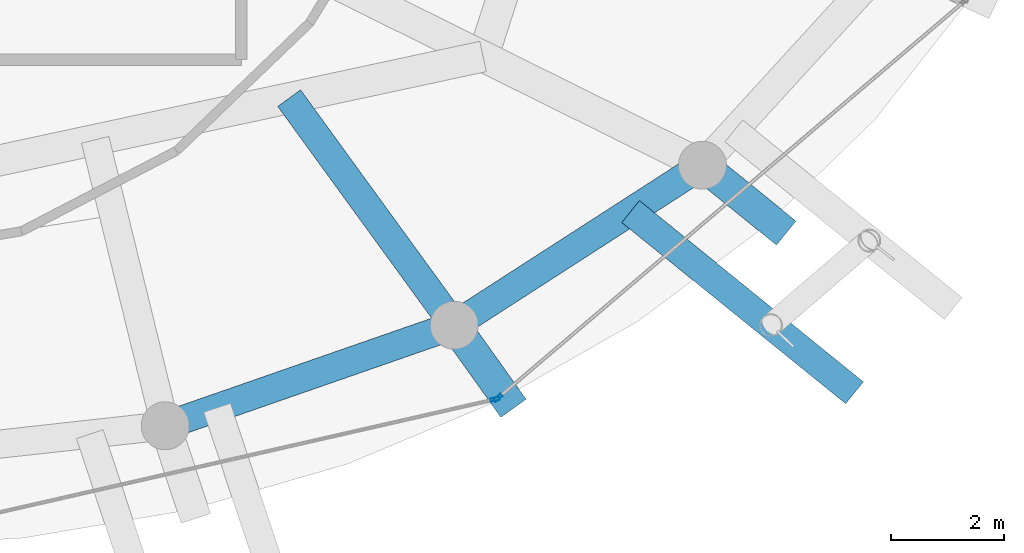
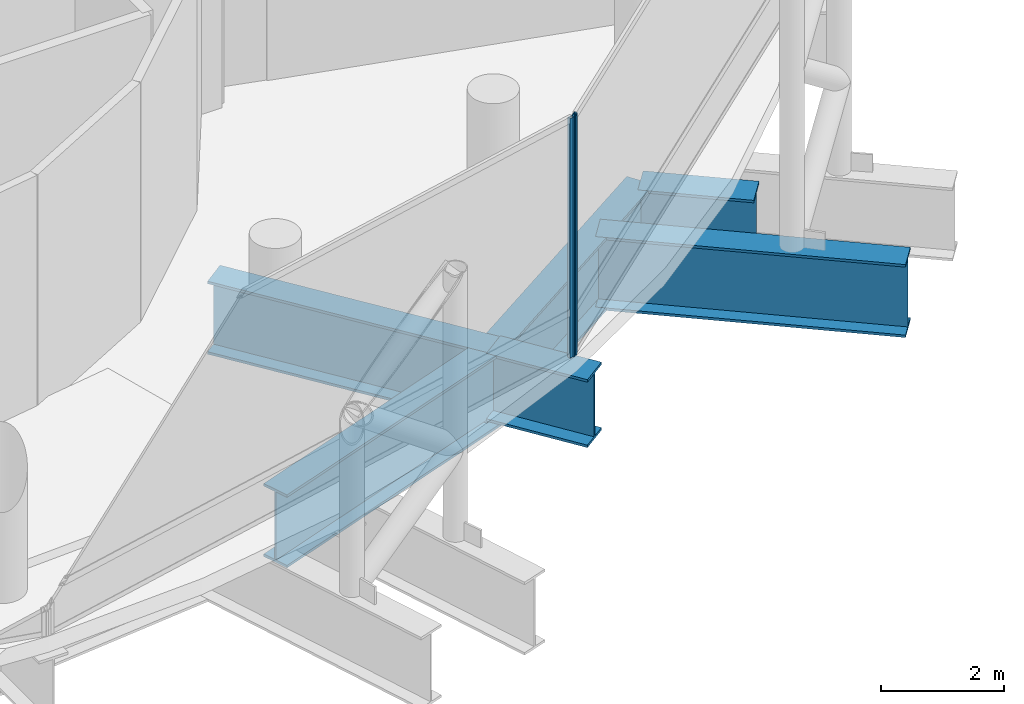
# One storey, part 10 of 31: 6 beams, 2 members, 2 elements without a shape of their own.
"""IFC4 building model written with IfcOpenShell, lengths in metres."""

from ifc_helpers import new_model, si_unit, direction, frame, origin, origin_2d, place, context, subcontext, project, spatial, hollow_rectangle, i_section, extrude, material, layer, layer_set, material_profile, profile_set, type_object, element, aggregate, save


model = new_model("IFC4")

# Units and contexts
model_context = context("Model", 3, precision=1e-05, world=origin(), true_north=direction((0.0, 1.0)))
body_context = subcontext(model_context, "Body", "Model", "MODEL_VIEW")
ifc_project = project(units=[si_unit("LENGTHUNIT", "METRE"), si_unit("AREAUNIT", "SQUARE_METRE"), si_unit("VOLUMEUNIT", "CUBIC_METRE"), si_unit("PLANEANGLEUNIT", "RADIAN"), si_unit("MASSUNIT", "GRAM", prefix="KILO")], contexts=[model_context])

# Site, building, storey
site_placement = place(None, origin())
site = spatial("IfcSite", under=ifc_project, at=site_placement, CompositionType="ELEMENT")
building_placement = place(site_placement, origin())
building = spatial("IfcBuilding", under=site, at=building_placement, Name="Nuhasar Tower", CompositionType="ELEMENT")
storey_placement = place(building_placement, frame((0.0, 0.0, 203.14990234375)))
storey = spatial("IfcBuildingStorey", under=building, at=storey_placement, Name="L49", CompositionType="ELEMENT", Elevation=203.14990234375)

# Beams
ifc_material_1 = material(Name="Steel S460", Category="steel")
ifc_material_profile_1 = material_profile(ifc_material_1, i_section(OverallWidth=0.550048828125, OverallDepth=1.35009765625, WebThickness=0.028076171875, FlangeThickness=0.050048828125, at=origin_2d()), Name="PG1350X550")
ifc_profile_set_1 = profile_set([ifc_material_profile_1], Name="Steel S460")
beam_type_1 = type_object("IfcBeamType", Name="BM-XFER-PG1350", PredefinedType="USERDEFINED", material=ifc_profile_set_1)
beam_1_placement = place(storey_placement, frame((54.02587890625, 14.177978515625, -0.994873046875), z_axis=(0.777328188004, -0.629095293366, 0.0), x_axis=(0.629095293366, 0.777328188004, 0.0)))
element("IfcBeam", 1, at=beam_1_placement, inside=storey, type_object=beam_type_1, Name="L49 Radial Step Transfer Girder 03", ObjectType="GIRDER", PredefinedType="USERDEFINED", context=body_context, shape_type="SweptSolid", body=[
    extrude(i_section(OverallWidth=0.550048828125, OverallDepth=1.35009765625, WebThickness=0.028076171875, FlangeThickness=0.050048828125, at=origin_2d()), origin(), (0.0, 0.0, 1.0), 1.91064453125),
])
beam_2_placement = place(storey_placement, frame((49.625, 11.341064453125, -0.994873046875), z_axis=(0.580688888767, -0.814125552026, 0.0), x_axis=(0.814125552026, 0.580688888767, 0.0)))
element("IfcBeam", 2, at=beam_2_placement, inside=storey, type_object=beam_type_1, Name="L49 Outer Column Step Transfer Girder 21", ObjectType="GIRDER", PredefinedType="USERDEFINED", context=body_context, shape_type="SweptSolid", body=[
    extrude(i_section(OverallWidth=0.550048828125, OverallDepth=1.35009765625, WebThickness=0.028076171875, FlangeThickness=0.050048828125, at=origin_2d()), origin(), (0.0, 0.0, 1.0), 1.808349609375),
])
ifc_material_profile_2 = material_profile(ifc_material_1, i_section(OverallWidth=0.5, OverallDepth=1.449951171875, WebThickness=0.028076171875, FlangeThickness=0.050048828125, at=origin_2d()), Name="PG1450X500")
ifc_profile_set_2 = profile_set([ifc_material_profile_2], Name="Steel S460")
beam_type_2 = type_object("IfcBeamType", Name="BM-XFER-PG1450", PredefinedType="USERDEFINED", material=ifc_profile_set_2)
beam_3_placement = place(storey_placement, frame((44.5, 9.55810546875, -1.044921875), z_axis=(0.944476764686, 0.328578211342, 0.0), x_axis=(-0.328578211342, 0.944476764686, 0.0)))
element("IfcBeam", 3, at=beam_3_placement, inside=storey, type_object=beam_type_2, Name="L49 Perimeter Ring Spandrel 20", ObjectType="GIRDER", PredefinedType="USERDEFINED", context=body_context, shape_type="SweptSolid", body=[
    extrude(i_section(OverallWidth=0.5, OverallDepth=1.449951171875, WebThickness=0.028076171875, FlangeThickness=0.050048828125, at=origin_2d()), origin(), (0.0, 0.0, 1.0), 5.42626953125),
])
beam_4_placement = place(storey_placement, frame((49.625, 11.341064453125, -1.044921875), z_axis=(0.840502144969, 0.541808217272, 0.0), x_axis=(-0.541808217272, 0.840502144969, 0.0)))
element("IfcBeam", 4, at=beam_4_placement, inside=storey, type_object=beam_type_2, Name="L49 Perimeter Ring Spandrel 21", ObjectType="GIRDER", PredefinedType="USERDEFINED", context=body_context, shape_type="SweptSolid", body=[
    extrude(i_section(OverallWidth=0.5, OverallDepth=1.449951171875, WebThickness=0.028076171875, FlangeThickness=0.050048828125, at=origin_2d()), origin(), (0.0, 0.0, 1.0), 5.236083984375),
])
beam_5_placement = place(storey_placement, frame((46.697021484375, 15.367919921875, -1.044921875), z_axis=(0.588087140724, -0.80879757351, 0.0), x_axis=(0.80879757351, 0.588087140724, 0.0)))
element("IfcBeam", 5, at=beam_5_placement, inside=storey, type_object=beam_type_2, Name="L49 Inner Column Transfer Girder 21", ObjectType="GIRDER", PredefinedType="USERDEFINED", context=body_context, shape_type="SweptSolid", body=[
    extrude(i_section(OverallWidth=0.5, OverallDepth=1.449951171875, WebThickness=0.028076171875, FlangeThickness=0.050048828125, at=origin_2d()), origin(), (0.0, 0.0, 1.0), 4.978759765625),
])
beam_6_placement = place(storey_placement, frame((52.751953125, 13.35693359375, -1.044921875), z_axis=(0.777312754904, -0.629114362469, 0.0), x_axis=(0.629114362469, 0.777312754904, 0.0)))
element("IfcBeam", 6, at=beam_6_placement, inside=storey, type_object=beam_type_2, Name="L49 Exoskeleton Step Transfer Girder 21", ObjectType="GIRDER", PredefinedType="USERDEFINED", context=body_context, shape_type="SweptSolid", body=[
    extrude(i_section(OverallWidth=0.5, OverallDepth=1.449951171875, WebThickness=0.028076171875, FlangeThickness=0.050048828125, at=origin_2d()), origin(), (0.0, 0.0, 1.0), 5.108642578125),
])

# Curtain wall, member
ifc_material_2 = material(Name="Aluminium 6063-T6", Category="aluminium")
ifc_layer = layer(ifc_material_2, 0.239990234375)
ifc_layer_set = layer_set([ifc_layer], Name="Aluminium 6063-T6")
curtain_wall_type = type_object("IfcCurtainWallType", Name="CW-SKY-LBY", PredefinedType="NOTDEFINED", material=ifc_layer_set)
curtain_wall_1_placement = place(storey_placement, origin())
curtain_wall_1 = element("IfcCurtainWall", 7, at=curtain_wall_1_placement, inside=storey, type_object=curtain_wall_type, Name="L49 Unitised Curtain Wall 10", PredefinedType="NOTDEFINED")
ifc_material_profile_3 = material_profile(ifc_material_2, hollow_rectangle(XDim=0.06005859375, YDim=0.159912109375, WallThickness=0.0048828125, at=origin_2d()), Name="CWM-6")
ifc_profile_set_3 = profile_set([ifc_material_profile_3], Name="Aluminium 6063-T6")
member_type = type_object("IfcMemberType", Name="CW-MUL-S6", PredefinedType="MULLION", material=ifc_profile_set_3)
member_1_placement = place(storey_placement, frame((50.350830078125, 10.02734375, 0.0), z_axis=(0.0, 0.0, 1.0), x_axis=(-0.222243176313, 0.974991266926, 0.0)))
member_1 = element("IfcMember", 8, at=member_1_placement, type_object=member_type, Name="CW-SL mullion 2", PredefinedType="MULLION", context=body_context, shape_type="SweptSolid", body=[
    extrude(hollow_rectangle(XDim=0.06005859375, YDim=0.159912109375, WallThickness=0.0048828125, at=origin_2d()), origin(), (0.0, 0.0, 1.0), 4.760009765625),
])
aggregate(curtain_wall_1, [member_1])

curtain_wall_2_placement = place(storey_placement, origin())
curtain_wall_2 = element("IfcCurtainWall", 9, at=curtain_wall_2_placement, inside=storey, type_object=curtain_wall_type, Name="L49 Unitised Curtain Wall 11", PredefinedType="NOTDEFINED")
member_2_placement = place(storey_placement, frame((50.40283203125, 10.053466796875, 0.0), z_axis=(0.0, 0.0, 1.0), x_axis=(-0.64789521578, 0.761729472562, 0.0)))
member_2 = element("IfcMember", 10, at=member_2_placement, type_object=member_type, Name="CW-SL mullion 1", PredefinedType="MULLION", context=body_context, shape_type="SweptSolid", body=[
    extrude(hollow_rectangle(XDim=0.06005859375, YDim=0.159912109375, WallThickness=0.0048828125, at=origin_2d()), origin(), (0.0, 0.0, 1.0), 4.760009765625),
])
aggregate(curtain_wall_2, [member_2])

save(model, "model.ifc")
